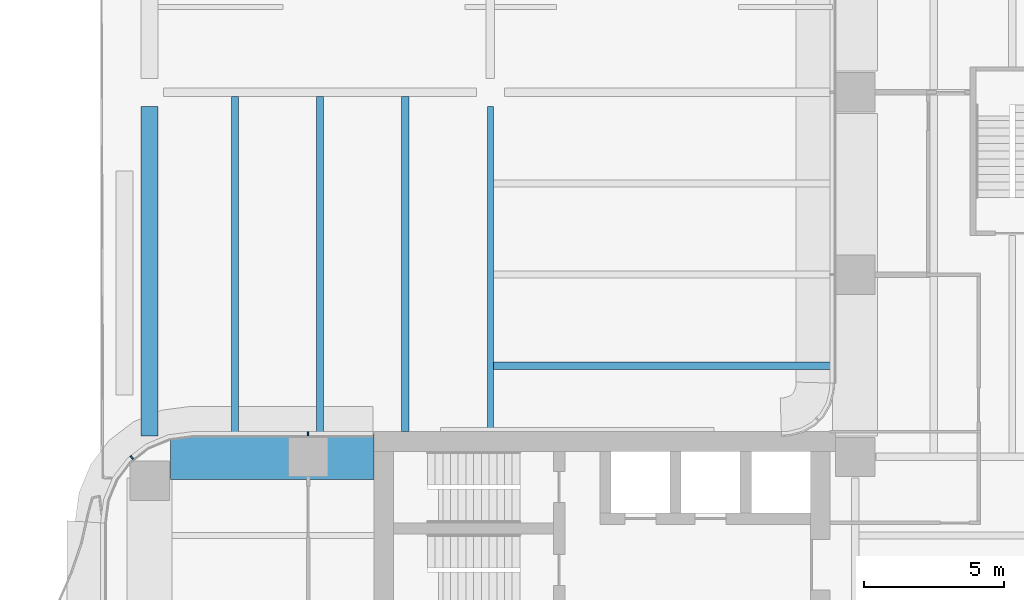
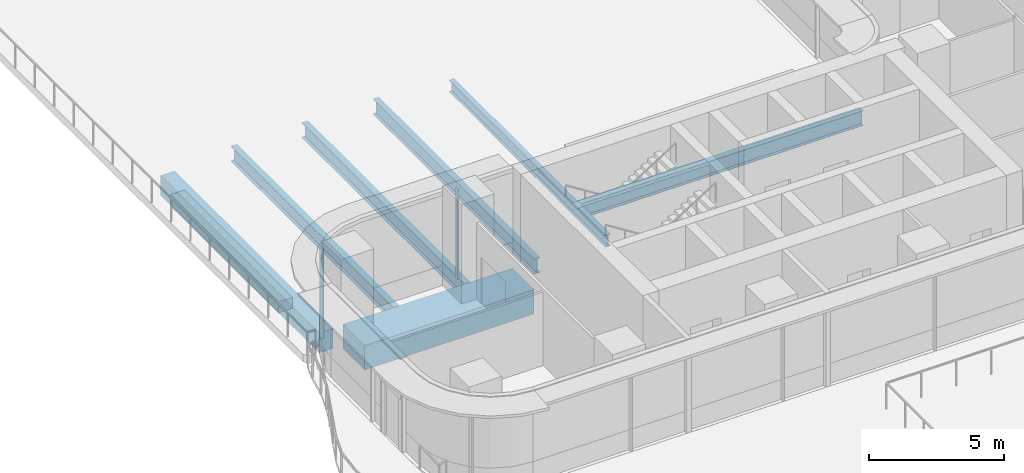
# One storey, part 10 of 29: 7 beams, 2 members, 1 element without a shape of its own.
"""IFC4 building model written with IfcOpenShell, lengths in metres."""

from ifc_helpers import new_model, si_unit, direction, frame, origin, origin_2d, place, context, subcontext, project, spatial, rectangle, i_section, extrude, source, transform, mapped, material, layer, layer_set, material_profile, profile_set, type_object, element, aggregate, save


model = new_model("IFC4")

# Units and contexts
model_context = context("Model", 3, precision=1e-05, world=origin(), true_north=direction((0.0, 1.0)))
body_context = subcontext(model_context, "Body", "Model", "MODEL_VIEW")
ifc_project = project(units=[si_unit("LENGTHUNIT", "METRE"), si_unit("AREAUNIT", "SQUARE_METRE"), si_unit("VOLUMEUNIT", "CUBIC_METRE"), si_unit("PLANEANGLEUNIT", "RADIAN"), si_unit("MASSUNIT", "GRAM", prefix="KILO")], contexts=[model_context])

# Site, building, storey
site_placement = place(None, origin())
site = spatial("IfcSite", under=ifc_project, at=site_placement, CompositionType="ELEMENT")
building_placement = place(site_placement, origin())
building = spatial("IfcBuilding", under=site, at=building_placement, Name="Trellis Farm Tower", CompositionType="ELEMENT")
storey_placement = place(building_placement, frame((0.0, 0.0, 34.0)))
storey = spatial("IfcBuildingStorey", under=building, at=storey_placement, Name="L06", CompositionType="ELEMENT", Elevation=34.0)

# Beams
ifc_material_1 = material(Name="Steel S355", Category="steel")
ifc_material_profile_1 = material_profile(ifc_material_1, i_section(OverallWidth=0.253662109375, OverallDepth=0.68359375, WebThickness=0.012451171875, FlangeThickness=0.021728515625, FilletRadius=0.01513671875, at=origin_2d()), Name="UB 686x254x140")
ifc_profile_set_1 = profile_set([ifc_material_profile_1], Name="Steel S355")
beam_type_1 = type_object("IfcBeamType", Name="UB 686x254x140 joist", PredefinedType="JOIST", material=ifc_profile_set_1)
shared_shape_1 = source(origin(), body_context, "Body", "SweptSolid", [
    extrude(i_section(OverallWidth=0.253662109375, OverallDepth=0.68359375, WebThickness=0.012451171875, FlangeThickness=0.021728515625, FilletRadius=0.01513671875, at=origin_2d()), origin(), (0.0, 0.0, 1.0), 11.947265625),
])
beam_1_placement = place(storey_placement, frame((-21.637451171875, 6.5, -0.691650390625), z_axis=(0.0, 1.0, 0.0), x_axis=(-1.0, 0.0, 0.0)))
element("IfcBeam", 1, at=beam_1_placement, inside=storey, type_object=beam_type_1, Name="Floor beam", PredefinedType="JOIST", context=body_context, shape_type="MappedRepresentation", body=[
    mapped(shared_shape_1, transform((0.0, 0.0, 0.0))),
])
ifc_material_profile_2 = material_profile(ifc_material_1, i_section(OverallWidth=0.209228515625, OverallDepth=0.533203125, WebThickness=0.010009765625, FlangeThickness=0.015625, FilletRadius=0.0126953125, at=origin_2d()), Name="UB 533x210x92")
ifc_profile_set_2 = profile_set([ifc_material_profile_2], Name="Steel S355")
beam_type_2 = type_object("IfcBeamType", Name="UB 533x210x92", PredefinedType="BEAM", material=ifc_profile_set_2)
shared_shape_2 = source(origin(), body_context, "Body", "SweptSolid", [
    extrude(i_section(OverallWidth=0.209228515625, OverallDepth=0.533203125, WebThickness=0.010009765625, FlangeThickness=0.015625, FilletRadius=0.0126953125, at=origin_2d()), origin(), (0.0, 0.0, 1.0), 11.60009765625),
])
beam_2_placement = place(storey_placement, frame((-18.60009765625, 6.5, -0.61669921875), z_axis=(0.0, 1.0, 0.0), x_axis=(-1.0, 0.0, 0.0)))
element("IfcBeam", 2, at=beam_2_placement, inside=storey, type_object=beam_type_2, Name="Girder", PredefinedType="BEAM", context=body_context, shape_type="MappedRepresentation", body=[
    mapped(shared_shape_2, transform((0.0, 0.0, 0.0))),
])
ifc_material_2 = material(Name="Concrete C60/75", Category="concrete")
ifc_material_profile_3 = material_profile(ifc_material_2, rectangle(XDim=0.60009765625, YDim=0.89990234375, at=origin_2d()), Name="RC spandrel beam 600x900 C60/75")
ifc_profile_set_3 = profile_set([ifc_material_profile_3], Name="Concrete C60/75")
beam_type_3 = type_object("IfcBeamType", Name="RC spandrel beam 600x900 C60/75", PredefinedType="SPANDREL", material=ifc_profile_set_3)
shared_shape_3 = source(origin(), body_context, "Body", "SweptSolid", [
    extrude(rectangle(XDim=0.60009765625, YDim=0.89990234375, at=origin_2d()), origin(), (0.0, 0.0, 1.0), 11.75),
])
beam_3_placement = place(storey_placement, frame((-30.75, 6.35009765625, -0.800048828125), z_axis=(0.0, 1.0, 0.0), x_axis=(-1.0, 0.0, 0.0)))
element("IfcBeam", 3, at=beam_3_placement, inside=storey, type_object=beam_type_3, Name="Girder", PredefinedType="SPANDREL", context=body_context, shape_type="MappedRepresentation", body=[
    mapped(shared_shape_3, transform((0.0, 0.0, 0.0))),
])
ifc_material_3 = material(Name="Concrete C80/95", Category="concrete")
ifc_material_profile_4 = material_profile(ifc_material_3, rectangle(XDim=1.60009765625, YDim=1.10009765625, at=origin_2d()), Name="RC transfer beam 1600x1100 C80/95")
ifc_profile_set_4 = profile_set([ifc_material_profile_4], Name="Concrete C80/95")
beam_type_4 = type_object("IfcBeamType", Name="RC transfer beam 1600x1100 C80/95", PredefinedType="BEAM", material=ifc_profile_set_4)
shared_shape_4 = source(origin(), body_context, "Body", "SweptSolid", [
    extrude(rectangle(XDim=1.60009765625, YDim=1.10009765625, at=origin_2d()), origin(), (0.0, 0.0, 1.0), 7.25),
])
beam_4_placement = place(storey_placement, frame((-30.0, 5.60009765625, -0.89990234375), z_axis=(1.0, 0.0, 0.0), x_axis=(0.0, 1.0, 0.0)))
element("IfcBeam", 4, at=beam_4_placement, inside=storey, type_object=beam_type_4, Name="Transfer girder", PredefinedType="BEAM", context=body_context, shape_type="MappedRepresentation", body=[
    mapped(shared_shape_4, transform((0.0, 0.0, 0.0))),
])
shared_shape_5 = source(origin(), body_context, "Body", "SweptSolid", [
    extrude(i_section(OverallWidth=0.253662109375, OverallDepth=0.68359375, WebThickness=0.012451171875, FlangeThickness=0.021728515625, FilletRadius=0.01513671875, at=origin_2d()), origin(), (0.0, 0.0, 1.0), 12.04736328125),
])
for number, where, z_axis, x_axis, name in (
    (5, (-27.71240234375, 6.39990234375, -0.691650390625), (0.0, 1.0, 0.0), (-1.0, 0.0, 0.0), "Floor beam"),
    (6, (-24.675048828125, 6.39990234375, -0.691650390625), (0.0, 1.0, 0.0), (-1.0, 0.0, 0.0), "Floor beam"),
):
    element("IfcBeam", number, at=place(storey_placement, frame(where, z_axis=z_axis, x_axis=x_axis)), inside=storey, type_object=beam_type_1, Name=name, PredefinedType="JOIST", context=body_context, shape_type="MappedRepresentation", body=[
        mapped(shared_shape_5, transform((0.0, 0.0, 0.0))),
    ])
shared_shape_6 = source(origin(), body_context, "Body", "SweptSolid", [
    extrude(i_section(OverallWidth=0.253662109375, OverallDepth=0.68359375, WebThickness=0.012451171875, FlangeThickness=0.021728515625, FilletRadius=0.01513671875, at=origin_2d()), origin(), (0.0, 0.0, 1.0), 12.095458984375),
])
beam_5_placement = place(storey_placement, frame((-18.495361328125, 8.85009765625, -0.691650390625), z_axis=(1.0, 0.0, 0.0), x_axis=(0.0, 1.0, 0.0)))
element("IfcBeam", 7, at=beam_5_placement, inside=storey, type_object=beam_type_1, Name="Floor beam", PredefinedType="JOIST", context=body_context, shape_type="MappedRepresentation", body=[
    mapped(shared_shape_6, transform((0.0, 0.0, 0.0))),
])

# Curtain wall, members
ifc_material_4 = material(Name="Aluminium and glass curtain wall", Category="aluminium")
ifc_layer = layer(ifc_material_4, 0.18994140625)
ifc_layer_set = layer_set([ifc_layer], Name="RIBBON CURTAIN WALL CW1")
curtain_wall_type = type_object("IfcCurtainWallType", Name="RIBBON CURTAIN WALL CW1", PredefinedType="NOTDEFINED", material=ifc_layer_set)
curtain_wall_placement = place(storey_placement, origin())
curtain_wall = element("IfcCurtainWall", 8, at=curtain_wall_placement, inside=storey, type_object=curtain_wall_type, Name="CW1 014", PredefinedType="NOTDEFINED")
ifc_material_5 = material(Name="Aluminium extrusion 6063-T6", Category="aluminium")
ifc_material_profile_5 = material_profile(ifc_material_5, rectangle(XDim=0.06005859375, YDim=0.14990234375, at=origin_2d()), Name="MULLION 60x150")
ifc_profile_set_5 = profile_set([ifc_material_profile_5], Name="Aluminium extrusion 6063-T6")
member_type = type_object("IfcMemberType", Name="CW1 MULLION 60x150", PredefinedType="MULLION", material=ifc_profile_set_5)
shared_shape_7 = source(origin(), body_context, "Body", "SweptSolid", [
    extrude(rectangle(XDim=0.06005859375, YDim=0.14990234375, at=origin_2d()), origin(), (0.0, 0.0, 1.0), 4.070068359375),
])
member_1_placement = place(storey_placement, frame((-25.10009765625, 6.425048828125, 0.0), z_axis=(0.0, 0.0, 1.0), x_axis=(-1.0, 0.0, 0.0)))
member_1 = element("IfcMember", 9, at=member_1_placement, type_object=member_type, Name="MU1 014-01", PredefinedType="MULLION", context=body_context, shape_type="MappedRepresentation", body=[
    mapped(shared_shape_7, transform((0.0, 0.0, 0.0))),
])
member_2_placement = place(storey_placement, frame((-31.385498046875, 5.578369140625, 0.0), z_axis=(0.0, 0.0, 1.0), x_axis=(-0.793353340291, -0.608761429009, 0.0)))
member_2 = element("IfcMember", 10, at=member_2_placement, type_object=member_type, Name="MU1 014-02", PredefinedType="MULLION", context=body_context, shape_type="MappedRepresentation", body=[
    mapped(shared_shape_7, transform((0.0, 0.0, 0.0))),
])
aggregate(curtain_wall, [member_1, member_2])

save(model, "model.ifc")
